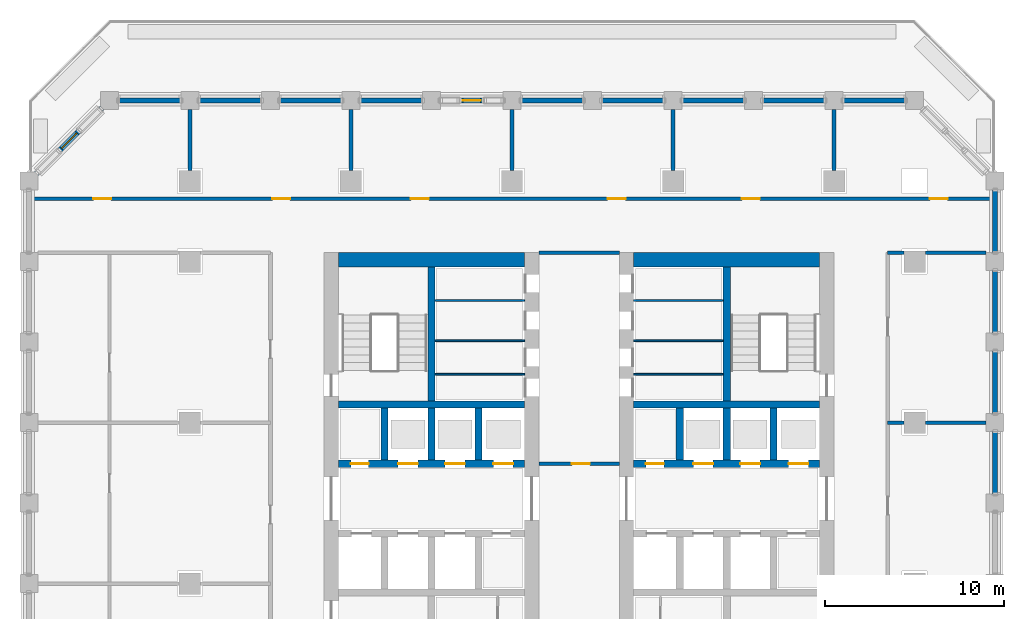
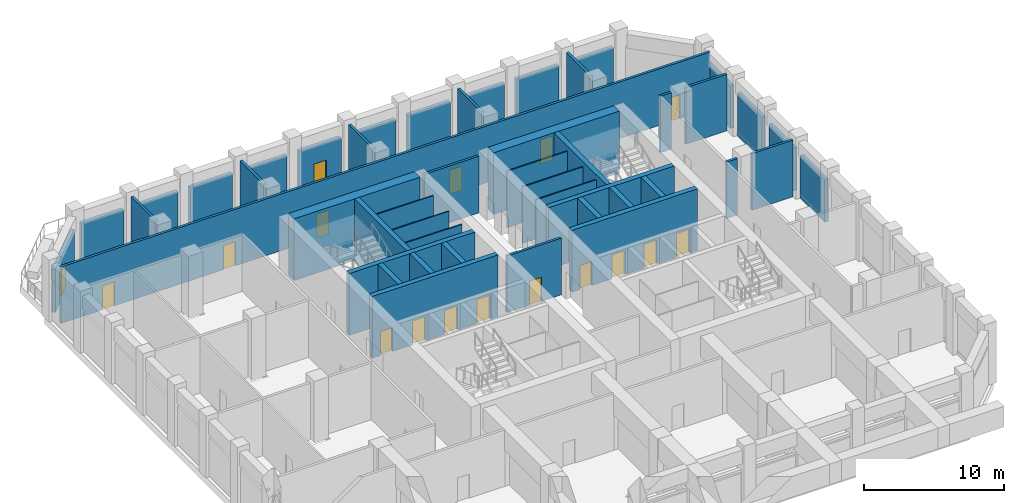
# One storey, part 6 of 20: 47 walls, 17 doors, 17 openings.
"""IFC4 building model written with IfcOpenShell, lengths in metres."""

import ifcopenshell
import ifcopenshell.guid

model = None  # the IFC model being written
_history = None  # IfcOwnerHistory: only IFC2X3 demands one
_inside = {}  # id of a spatial element -> (the spatial element, [elements in it])
_under = {}  # id of a project, library or spatial element -> (it, [spatial elements below it])
_declared = {}  # id of a project -> (the project, [libraries it declares])
_typed = {}  # id of a type object -> (the type object, [elements of that type])
_made_of = {}  # id of a material, layer set ... -> (it, [elements and type objects made of it])


def new_model(schema):
    """Start an empty IFC model of exactly this schema.

    Asked for "IFC4X3", IfcOpenShell would pick the latest addendum, in which some entities
    have other attributes; the version numbers below select the first issue.
    IFC2X3 requires an IfcOwnerHistory on every rooted entity: one is made here for all.
    """
    global model, _history
    if schema == "IFC4X3":
        model = ifcopenshell.file(schema_version=(4, 3, 0, 0))
    else:
        model = ifcopenshell.file(schema=schema)
    _inside.clear()
    _under.clear()
    _declared.clear()
    _typed.clear()
    _made_of.clear()
    _history = None
    if model.schema == "IFC2X3":
        org = make("IfcOrganization", Name="unknown")
        user = make(
            "IfcPersonAndOrganization",
            ThePerson=make("IfcPerson", FamilyName="unknown"),
            TheOrganization=org,
        )
        app = make(
            "IfcApplication",
            ApplicationDeveloper=org,
            Version="unknown",
            ApplicationFullName="unknown",
            ApplicationIdentifier="unknown",
        )
        _history = make(
            "IfcOwnerHistory",
            OwningUser=user,
            OwningApplication=app,
            ChangeAction="ADDED",
            CreationDate=0,
        )
    return model


def make(cls, **values):
    """One entity of the class cls with the attributes given. An attribute that is None is left unset."""
    return model.create_entity(
        cls, **{name: value for name, value in values.items() if value is not None}
    )


def rooted(cls, **values):
    """An entity with a GlobalId (a new one), such as an element, a storey or a relation."""
    return make(cls, GlobalId=ifcopenshell.guid.new(), OwnerHistory=_history, **values)


def si_unit(unit_type, name, prefix=None):
    """IfcSIUnit, for example si_unit("LENGTHUNIT", "METRE", prefix="MILLI")."""
    return make("IfcSIUnit", UnitType=unit_type, Prefix=prefix, Name=name)


def assignment(units):
    """IfcUnitAssignment: the units of a project."""
    return None if units is None else make("IfcUnitAssignment", Units=units)


def point(xyz):
    """IfcCartesianPoint."""
    return None if xyz is None else make("IfcCartesianPoint", Coordinates=xyz)


def direction(xyz):
    """IfcDirection."""
    return None if xyz is None else make("IfcDirection", DirectionRatios=xyz)


def frame(location, z_axis=None, x_axis=None):
    """IfcAxis2Placement3D, a coordinate frame: its origin and axes. An axis left out is left unset."""
    return make(
        "IfcAxis2Placement3D",
        Location=point(location),
        Axis=direction(z_axis),
        RefDirection=direction(x_axis),
    )


def frame_2d(location, x_axis=None):
    """IfcAxis2Placement2D, a coordinate frame in the plane: its origin and x axis."""
    return make(
        "IfcAxis2Placement2D", Location=point(location), RefDirection=direction(x_axis)
    )


def origin():
    """The frame at (0, 0, 0) with its axes left unset."""
    return frame((0.0, 0.0, 0.0))


def place(relative_to, where):
    """IfcLocalPlacement: puts the frame where relative to a parent placement (None: the world)."""
    return make(
        "IfcLocalPlacement", PlacementRelTo=relative_to, RelativePlacement=where
    )


def context(
    kind, dimensions, precision=None, world=None, true_north=None, identifier=None
):
    """IfcGeometricRepresentationContext, for example the 3D "Model" context."""
    return make(
        "IfcGeometricRepresentationContext",
        ContextIdentifier=identifier,
        ContextType=kind,
        CoordinateSpaceDimension=dimensions,
        Precision=precision,
        WorldCoordinateSystem=world,
        TrueNorth=true_north,
    )


def subcontext(parent, identifier, kind, view, scale=None):
    """IfcGeometricRepresentationSubContext, for example "Body" below "Model"."""
    return make(
        "IfcGeometricRepresentationSubContext",
        ContextIdentifier=identifier,
        ContextType=kind,
        ParentContext=parent,
        TargetScale=scale,
        TargetView=view,
    )


def project(units=None, contexts=None):
    """IfcProject with its units and contexts."""
    return rooted(
        "IfcProject",
        Name="project",
        RepresentationContexts=contexts,
        UnitsInContext=assignment(units),
    )


def spatial(cls, under=None, at=None, **own):
    """A site, building, storey or space (cls), placed at a placement, below another one or the project."""
    s = rooted(cls, ObjectPlacement=at, **own)
    if under is not None:
        _under.setdefault(under.id(), (under, []))[1].append(s)
    return s


def profile(cls, at=None, kind="AREA", **sizes):
    """A parametric profile (cls). Its sizes go by their IFC names, for example OverallWidth=200.0."""
    return make(cls, ProfileType=kind, Position=at, **sizes)


def rectangle(**sizes):
    """IfcRectangleProfileDef."""
    return profile("IfcRectangleProfileDef", **sizes)


def extrude(swept, where, along, depth):
    """IfcExtrudedAreaSolid: the profile swept, set in the frame where, extruded along a direction by depth."""
    return make(
        "IfcExtrudedAreaSolid",
        SweptArea=swept,
        Position=where,
        ExtrudedDirection=direction(along),
        Depth=depth,
    )


def shape(context_of_items, identifier, shape_type, items):
    """IfcShapeRepresentation: the items that make up one representation, for example the "Body"."""
    return make(
        "IfcShapeRepresentation",
        ContextOfItems=context_of_items,
        RepresentationIdentifier=identifier,
        RepresentationType=shape_type,
        Items=items,
    )


def material(Name=None, Category=None):
    """IfcMaterial."""
    return make("IfcMaterial", Name=Name, Category=Category)


def layer(
    of_material, thickness, ventilated=None, Name=None, Category=None, Priority=None
):
    """IfcMaterialLayer: one layer of a wall or slab, of a material (None: an air gap)."""
    return make(
        "IfcMaterialLayer",
        Material=of_material,
        LayerThickness=thickness,
        IsVentilated=ventilated,
        Name=Name,
        Category=Category,
        Priority=Priority,
    )


def layer_set(layers, Name=None):
    """IfcMaterialLayerSet."""
    return make("IfcMaterialLayerSet", MaterialLayers=layers, LayerSetName=Name)


def made_of(thing, what):
    """Note that an element or type object is made of a material, layer set ...; save() writes the relation."""
    if what is not None:
        _made_of.setdefault(what.id(), (what, []))[1].append(thing)
    return thing


def type_object(cls, material=None, **own):
    """A type object (cls), such as IfcWallType, which elements share."""
    return made_of(rooted(cls, **own), material)


def element(
    cls,
    number,
    at=None,
    inside=None,
    cuts=None,
    type_object=None,
    material=None,
    context=None,
    identifier="Body",
    shape_type=None,
    held_by="IfcProductDefinitionShape",
    body=None,
    shapes=None,
    **own,
):
    """One element of the class cls, such as IfcWall. Its Tag is "e" and its number.

    at: its placement. inside: the storey or other place that contains it. cuts: it is an
    opening in that element (IfcRelVoidsElement). A single representation is given by context,
    identifier, shape_type and body (its items); several are given by shapes. held_by: the class
    of the entity that holds the representations. save() writes the other relations.
    """
    e = rooted(cls, Tag="e%d" % number, ObjectPlacement=at, **own)
    if body is not None:
        shapes = [shape(context, identifier, shape_type, body)]
    if shapes is not None:
        e.Representation = make(held_by, Representations=shapes)
    if inside is not None:
        _inside.setdefault(inside.id(), (inside, []))[1].append(e)
    if cuts is not None:
        rooted(
            "IfcRelVoidsElement", RelatingBuildingElement=cuts, RelatedOpeningElement=e
        )
    if type_object is not None:
        _typed.setdefault(type_object.id(), (type_object, []))[1].append(e)
    return made_of(e, material)


def fill(opening, filler):
    """IfcRelFillsElement: the door or window that sits in an opening."""
    return rooted(
        "IfcRelFillsElement",
        RelatingOpeningElement=opening,
        RelatedBuildingElement=filler,
    )


def aggregate(whole, parts):
    """IfcRelAggregates: a whole, such as a stair, and the parts it consists of."""
    return rooted("IfcRelAggregates", RelatingObject=whole, RelatedObjects=parts)


def save(model, path):
    """Write the relations noted so far, then the file.

    IfcRelAggregates (storeys below a building ...), IfcRelContainedInSpatialStructure (elements
    in a storey), IfcRelDefinesByType, IfcRelAssociatesMaterial and IfcRelDeclares: one each for
    every whole, place, type object, material and project.
    """
    for whole, parts in _under.values():
        aggregate(whole, parts)
    for where, things in _inside.values():
        rooted(
            "IfcRelContainedInSpatialStructure",
            RelatedElements=things,
            RelatingStructure=where,
        )
    for kind, things in _typed.values():
        rooted("IfcRelDefinesByType", RelatedObjects=things, RelatingType=kind)
    for what, things in _made_of.values():
        rooted("IfcRelAssociatesMaterial", RelatedObjects=things, RelatingMaterial=what)
    for by, libraries in _declared.values():
        rooted("IfcRelDeclares", RelatingContext=by, RelatedDefinitions=libraries)
    model.write(path)


model = new_model("IFC4")

# Units and contexts
model_context = context("Model", 3, precision=1e-05, world=origin(), true_north=direction((0.0, 1.0)))
body_context = subcontext(model_context, "Body", "Model", "MODEL_VIEW")
ifc_project = project(units=[si_unit("LENGTHUNIT", "METRE"), si_unit("AREAUNIT", "SQUARE_METRE"), si_unit("VOLUMEUNIT", "CUBIC_METRE"), si_unit("PLANEANGLEUNIT", "RADIAN"), si_unit("MASSUNIT", "GRAM", prefix="KILO")], contexts=[model_context])

# Site, building, storey
site_placement = place(None, origin())
site = spatial("IfcSite", under=ifc_project, at=site_placement, CompositionType="ELEMENT")
building_placement = place(site_placement, origin())
building = spatial("IfcBuilding", under=site, at=building_placement, Name="Corbel Stack Research Tower", CompositionType="ELEMENT")
storey_placement = place(building_placement, frame((0.0, 0.0, 151.39990234375)))
storey = spatial("IfcBuildingStorey", under=building, at=storey_placement, Name="L34", CompositionType="ELEMENT", Elevation=151.39990234375)

# Wall, openings, doors
ifc_material_1 = material(Name="Concrete C60/75", Category="concrete")
ifc_layer_1 = layer(ifc_material_1, 0.39990234375)
ifc_layer_set_1 = layer_set([ifc_layer_1], Name="Concrete C60/75")
wall_type_1 = type_object("IfcWallType", Name="CW-400-60", PredefinedType="SHEAR", material=ifc_layer_set_1)
wall_1_placement = place(storey_placement, frame((-9.699951171875, 6.699951171875, 0.0), z_axis=(0.0, 0.0, 1.0), x_axis=(1.0, 0.0, 0.0)))
wall_1 = element("IfcWall", 1, at=wall_1_placement, inside=storey, type_object=wall_type_1, Name="West core wall, lobby north L34", PredefinedType="SHEAR", context=body_context, shape_type="SweptSolid", body=[
    extrude(rectangle(XDim=10.39990234375, YDim=0.39990234375, at=frame_2d((5.199951171875, 0.0))), origin(), (0.0, 0.0, 1.0), 5.400146484375),
])
opening_1_placement = place(wall_1_placement, frame((3.33740234375, 0.0, 0.0)))
opening_1 = element("IfcOpeningElement", 2, at=opening_1_placement, cuts=wall_1, Name="Opening LD-HR1", PredefinedType="OPENING", context=body_context, shape_type="SweptSolid", body=[
    extrude(rectangle(XDim=1.10009765625, YDim=2.10009765625, at=frame_2d((0.550048828125, 1.050048828125))), frame((0.0, 0.2099609375, 0.0), z_axis=(0.0, -1.0, 0.0), x_axis=(1.0, 0.0, 0.0)), (0.0, 0.0, 1.0), 0.419921875),
])
opening_2_placement = place(wall_1_placement, frame((5.96240234375, 0.0, 0.0)))
opening_2 = element("IfcOpeningElement", 3, at=opening_2_placement, cuts=wall_1, Name="Opening LD-HR2", PredefinedType="OPENING", context=body_context, shape_type="SweptSolid", body=[
    extrude(rectangle(XDim=1.10009765625, YDim=2.10009765625, at=frame_2d((0.550048828125, 1.050048828125))), frame((0.0, 0.2099609375, 0.0), z_axis=(0.0, -1.0, 0.0), x_axis=(1.0, 0.0, 0.0)), (0.0, 0.0, 1.0), 0.419921875),
])
opening_3_placement = place(wall_1_placement, frame((8.66259765625, 0.0, 0.0)))
opening_3 = element("IfcOpeningElement", 4, at=opening_3_placement, cuts=wall_1, Name="Opening LD-HR3", PredefinedType="OPENING", context=body_context, shape_type="SweptSolid", body=[
    extrude(rectangle(XDim=1.10009765625, YDim=2.10009765625, at=frame_2d((0.550048828125, 1.050048828125))), frame((0.0, 0.2099609375, 0.0), z_axis=(0.0, -1.0, 0.0), x_axis=(1.0, 0.0, 0.0)), (0.0, 0.0, 1.0), 0.419921875),
])
opening_4_placement = place(wall_1_placement, frame((0.6875, 0.0, 0.0)))
opening_4 = element("IfcOpeningElement", 5, at=opening_4_placement, cuts=wall_1, Name="Opening CR-W66-N1", PredefinedType="OPENING", context=body_context, shape_type="SweptSolid", body=[
    extrude(rectangle(XDim=1.0, YDim=2.10009765625, at=frame_2d((0.5, 1.050048828125))), frame((0.0, 0.2099609375, 0.0), z_axis=(0.0, -1.0, 0.0), x_axis=(1.0, 0.0, 0.0)), (0.0, 0.0, 1.0), 0.419921875),
])
ifc_material_2 = material(Name="Stainless steel landing door", Category="steel")
door_type_1 = type_object("IfcDoorType", Name="Lift landing door 1100 x 2100", OperationType="DOUBLE_DOOR_SLIDING", PredefinedType="DOOR", material=ifc_material_2)
door_1_placement = place(opening_1_placement, origin())
door_1 = element("IfcDoor", 6, at=door_1_placement, inside=storey, type_object=door_type_1, Name="Landing door HR1", OperationType="DOUBLE_DOOR_SLIDING", OverallHeight=2.10009765625, OverallWidth=1.10009765625, PredefinedType="DOOR", context=body_context, shape_type="SweptSolid", body=[
    extrude(rectangle(XDim=1.10009765625, YDim=2.10009765625, at=frame_2d((0.550048828125, 1.050048828125))), frame((0.0, 0.02490234375, 0.0), z_axis=(0.0, -1.0, 0.0), x_axis=(1.0, 0.0, 0.0)), (0.0, 0.0, 1.0), 0.050048828125),
])
fill(opening_1, door_1)
door_2_placement = place(opening_2_placement, origin())
door_2 = element("IfcDoor", 7, at=door_2_placement, inside=storey, type_object=door_type_1, Name="Landing door HR2", OperationType="DOUBLE_DOOR_SLIDING", OverallHeight=2.10009765625, OverallWidth=1.10009765625, PredefinedType="DOOR", context=body_context, shape_type="SweptSolid", body=[
    extrude(rectangle(XDim=1.10009765625, YDim=2.10009765625, at=frame_2d((0.550048828125, 1.050048828125))), frame((0.0, 0.02490234375, 0.0), z_axis=(0.0, -1.0, 0.0), x_axis=(1.0, 0.0, 0.0)), (0.0, 0.0, 1.0), 0.050048828125),
])
fill(opening_2, door_2)
door_3_placement = place(opening_3_placement, origin())
door_3 = element("IfcDoor", 8, at=door_3_placement, inside=storey, type_object=door_type_1, Name="Landing door HR3", OperationType="DOUBLE_DOOR_SLIDING", OverallHeight=2.10009765625, OverallWidth=1.10009765625, PredefinedType="DOOR", context=body_context, shape_type="SweptSolid", body=[
    extrude(rectangle(XDim=1.10009765625, YDim=2.10009765625, at=frame_2d((0.550048828125, 1.050048828125))), frame((0.0, 0.02490234375, 0.0), z_axis=(0.0, -1.0, 0.0), x_axis=(1.0, 0.0, 0.0)), (0.0, 0.0, 1.0), 0.050048828125),
])
fill(opening_3, door_3)
ifc_material_3 = material(Name="Painted steel door", Category="steel")
door_type_2 = type_object("IfcDoorType", Name="Service door 1000 x 2100 FD60 left hand", OperationType="SINGLE_SWING_LEFT", PredefinedType="DOOR", material=ifc_material_3)
door_4_placement = place(opening_4_placement, origin())
door_4 = element("IfcDoor", 9, at=door_4_placement, inside=storey, type_object=door_type_2, Name="Laboratory consumables store door W core", OperationType="SINGLE_SWING_LEFT", OverallHeight=2.10009765625, OverallWidth=1.0, PredefinedType="DOOR", context=body_context, shape_type="SweptSolid", body=[
    extrude(rectangle(XDim=1.0, YDim=2.10009765625, at=frame_2d((0.5, 1.050048828125))), frame((0.0, 0.02490234375, 0.0), z_axis=(0.0, -1.0, 0.0), x_axis=(1.0, 0.0, 0.0)), (0.0, 0.0, 1.0), 0.050048828125),
])
fill(opening_4, door_4)

# Walls
wall_2_placement = place(storey_placement, frame((-9.699951171875, 10.0, 0.0), z_axis=(0.0, 0.0, 1.0), x_axis=(1.0, 0.0, 0.0)))
element("IfcWall", 10, at=wall_2_placement, inside=storey, type_object=wall_type_1, Name="West core wall, north row back L34", PredefinedType="SHEAR", context=body_context, shape_type="SweptSolid", body=[
    extrude(rectangle(XDim=10.39990234375, YDim=0.39990234375, at=frame_2d((5.199951171875, 0.0))), origin(), (0.0, 0.0, 1.0), 5.400146484375),
])
for number, where, z_axis, x_axis, name in (
    (11, (-7.125, 6.89990234375, 0.0), (0.0, 0.0, 1.0), (0.0, 1.0, 0.0), "West core wall, north shaft 1 L34"),
    (12, (-4.5, 6.89990234375, 0.0), (0.0, 0.0, 1.0), (0.0, 1.0, 0.0), "West core wall, north shaft 2 L34"),
    (13, (-1.875, 6.89990234375, 0.0), (0.0, 0.0, 1.0), (0.0, 1.0, 0.0), "West core wall, north shaft 3 L34"),
):
    element("IfcWall", number, at=place(storey_placement, frame(where, z_axis=z_axis, x_axis=x_axis)), inside=storey, type_object=wall_type_1, Name=name, PredefinedType="SHEAR", context=body_context, shape_type="SweptSolid", body=[
        extrude(rectangle(XDim=2.900146484375, YDim=0.39990234375, at=frame_2d((1.4501953125, 0.0))), origin(), (0.0, 0.0, 1.0), 5.400146484375),
    ])
wall_3_placement = place(storey_placement, frame((-4.5, 10.199951171875, 0.0), z_axis=(0.0, 0.0, 1.0), x_axis=(0.0, 1.0, 0.0)))
element("IfcWall", 14, at=wall_3_placement, inside=storey, type_object=wall_type_1, Name="West core wall, north stair and riser L34", PredefinedType="SHEAR", context=body_context, shape_type="SweptSolid", body=[
    extrude(rectangle(XDim=7.5, YDim=0.39990234375, at=frame_2d((3.75, 0.0))), origin(), (0.0, 0.0, 1.0), 5.400146484375),
])

# Wall, openings, doors
wall_4_placement = place(storey_placement, frame((6.800048828125, 6.699951171875, 0.0), z_axis=(0.0, 0.0, 1.0), x_axis=(1.0, 0.0, 0.0)))
wall_4 = element("IfcWall", 15, at=wall_4_placement, inside=storey, type_object=wall_type_1, Name="East core wall, lobby north L34", PredefinedType="SHEAR", context=body_context, shape_type="SweptSolid", body=[
    extrude(rectangle(XDim=10.39990234375, YDim=0.39990234375, at=frame_2d((5.199951171875, 0.0))), origin(), (0.0, 0.0, 1.0), 5.400146484375),
])
opening_5_placement = place(wall_4_placement, frame((3.33740234375, 0.0, 0.0)))
opening_5 = element("IfcOpeningElement", 16, at=opening_5_placement, cuts=wall_4, Name="Opening LD-HR4", PredefinedType="OPENING", context=body_context, shape_type="SweptSolid", body=[
    extrude(rectangle(XDim=1.10009765625, YDim=2.10009765625, at=frame_2d((0.550048828125, 1.050048828125))), frame((0.0, 0.2099609375, 0.0), z_axis=(0.0, -1.0, 0.0), x_axis=(1.0, 0.0, 0.0)), (0.0, 0.0, 1.0), 0.419921875),
])
opening_6_placement = place(wall_4_placement, frame((5.96240234375, 0.0, 0.0)))
opening_6 = element("IfcOpeningElement", 17, at=opening_6_placement, cuts=wall_4, Name="Opening LD-HR5", PredefinedType="OPENING", context=body_context, shape_type="SweptSolid", body=[
    extrude(rectangle(XDim=1.10009765625, YDim=2.10009765625, at=frame_2d((0.550048828125, 1.050048828125))), frame((0.0, 0.2099609375, 0.0), z_axis=(0.0, -1.0, 0.0), x_axis=(1.0, 0.0, 0.0)), (0.0, 0.0, 1.0), 0.419921875),
])
opening_7_placement = place(wall_4_placement, frame((8.66259765625, 0.0, 0.0)))
opening_7 = element("IfcOpeningElement", 18, at=opening_7_placement, cuts=wall_4, Name="Opening LD-HR6", PredefinedType="OPENING", context=body_context, shape_type="SweptSolid", body=[
    extrude(rectangle(XDim=1.10009765625, YDim=2.10009765625, at=frame_2d((0.550048828125, 1.050048828125))), frame((0.0, 0.2099609375, 0.0), z_axis=(0.0, -1.0, 0.0), x_axis=(1.0, 0.0, 0.0)), (0.0, 0.0, 1.0), 0.419921875),
])
opening_8_placement = place(wall_4_placement, frame((0.6875, 0.0, 0.0)))
opening_8 = element("IfcOpeningElement", 19, at=opening_8_placement, cuts=wall_4, Name="Opening CR-E66-N1", PredefinedType="OPENING", context=body_context, shape_type="SweptSolid", body=[
    extrude(rectangle(XDim=1.0, YDim=2.10009765625, at=frame_2d((0.5, 1.050048828125))), frame((0.0, 0.2099609375, 0.0), z_axis=(0.0, -1.0, 0.0), x_axis=(1.0, 0.0, 0.0)), (0.0, 0.0, 1.0), 0.419921875),
])
door_5_placement = place(opening_5_placement, origin())
door_5 = element("IfcDoor", 20, at=door_5_placement, inside=storey, type_object=door_type_1, Name="Landing door HR4", OperationType="DOUBLE_DOOR_SLIDING", OverallHeight=2.10009765625, OverallWidth=1.10009765625, PredefinedType="DOOR", context=body_context, shape_type="SweptSolid", body=[
    extrude(rectangle(XDim=1.10009765625, YDim=2.10009765625, at=frame_2d((0.550048828125, 1.050048828125))), frame((0.0, 0.02490234375, 0.0), z_axis=(0.0, -1.0, 0.0), x_axis=(1.0, 0.0, 0.0)), (0.0, 0.0, 1.0), 0.050048828125),
])
fill(opening_5, door_5)
door_6_placement = place(opening_6_placement, origin())
door_6 = element("IfcDoor", 21, at=door_6_placement, inside=storey, type_object=door_type_1, Name="Landing door HR5", OperationType="DOUBLE_DOOR_SLIDING", OverallHeight=2.10009765625, OverallWidth=1.10009765625, PredefinedType="DOOR", context=body_context, shape_type="SweptSolid", body=[
    extrude(rectangle(XDim=1.10009765625, YDim=2.10009765625, at=frame_2d((0.550048828125, 1.050048828125))), frame((0.0, 0.02490234375, 0.0), z_axis=(0.0, -1.0, 0.0), x_axis=(1.0, 0.0, 0.0)), (0.0, 0.0, 1.0), 0.050048828125),
])
fill(opening_6, door_6)
door_7_placement = place(opening_7_placement, origin())
door_7 = element("IfcDoor", 22, at=door_7_placement, inside=storey, type_object=door_type_1, Name="Landing door HR6", OperationType="DOUBLE_DOOR_SLIDING", OverallHeight=2.10009765625, OverallWidth=1.10009765625, PredefinedType="DOOR", context=body_context, shape_type="SweptSolid", body=[
    extrude(rectangle(XDim=1.10009765625, YDim=2.10009765625, at=frame_2d((0.550048828125, 1.050048828125))), frame((0.0, 0.02490234375, 0.0), z_axis=(0.0, -1.0, 0.0), x_axis=(1.0, 0.0, 0.0)), (0.0, 0.0, 1.0), 0.050048828125),
])
fill(opening_7, door_7)
door_8_placement = place(opening_8_placement, origin())
door_8 = element("IfcDoor", 23, at=door_8_placement, inside=storey, type_object=door_type_2, Name="Electrical switch room door E core", OperationType="SINGLE_SWING_LEFT", OverallHeight=2.10009765625, OverallWidth=1.0, PredefinedType="DOOR", context=body_context, shape_type="SweptSolid", body=[
    extrude(rectangle(XDim=1.0, YDim=2.10009765625, at=frame_2d((0.5, 1.050048828125))), frame((0.0, 0.02490234375, 0.0), z_axis=(0.0, -1.0, 0.0), x_axis=(1.0, 0.0, 0.0)), (0.0, 0.0, 1.0), 0.050048828125),
])
fill(opening_8, door_8)

# Walls
wall_5_placement = place(storey_placement, frame((6.800048828125, 10.0, 0.0), z_axis=(0.0, 0.0, 1.0), x_axis=(1.0, 0.0, 0.0)))
element("IfcWall", 24, at=wall_5_placement, inside=storey, type_object=wall_type_1, Name="East core wall, north row back L34", PredefinedType="SHEAR", context=body_context, shape_type="SweptSolid", body=[
    extrude(rectangle(XDim=10.39990234375, YDim=0.39990234375, at=frame_2d((5.199951171875, 0.0))), origin(), (0.0, 0.0, 1.0), 5.400146484375),
])
for number, where, z_axis, x_axis, name in (
    (25, (9.375, 6.89990234375, 0.0), (0.0, 0.0, 1.0), (0.0, 1.0, 0.0), "East core wall, north shaft 1 L34"),
    (26, (12.0, 6.89990234375, 0.0), (0.0, 0.0, 1.0), (0.0, 1.0, 0.0), "East core wall, north shaft 2 L34"),
    (27, (14.625, 6.89990234375, 0.0), (0.0, 0.0, 1.0), (0.0, 1.0, 0.0), "East core wall, north shaft 3 L34"),
):
    element("IfcWall", number, at=place(storey_placement, frame(where, z_axis=z_axis, x_axis=x_axis)), inside=storey, type_object=wall_type_1, Name=name, PredefinedType="SHEAR", context=body_context, shape_type="SweptSolid", body=[
        extrude(rectangle(XDim=2.900146484375, YDim=0.39990234375, at=frame_2d((1.4501953125, 0.0))), origin(), (0.0, 0.0, 1.0), 5.400146484375),
    ])
wall_6_placement = place(storey_placement, frame((12.0, 10.199951171875, 0.0), z_axis=(0.0, 0.0, 1.0), x_axis=(0.0, 1.0, 0.0)))
element("IfcWall", 28, at=wall_6_placement, inside=storey, type_object=wall_type_1, Name="East core wall, north stair and riser L34", PredefinedType="SHEAR", context=body_context, shape_type="SweptSolid", body=[
    extrude(rectangle(XDim=7.5, YDim=0.39990234375, at=frame_2d((3.75, 0.0))), origin(), (0.0, 0.0, 1.0), 5.400146484375),
])
ifc_material_4 = material(Name="Concrete C60/75", Category="concrete")
ifc_layer_2 = layer(ifc_material_4, 0.800048828125)
ifc_layer_set_2 = layer_set([ifc_layer_2], Name="Concrete C60/75")
wall_type_2 = type_object("IfcWallType", Name="CW-800-60", PredefinedType="SHEAR", material=ifc_layer_set_2)
for number, where, z_axis, x_axis, name in (
    (29, (-9.699951171875, 18.10009765625, 0.0), (0.0, 0.0, 1.0), (1.0, 0.0, 0.0), "West core wall, north end L34"),
    (30, (6.800048828125, 18.10009765625, 0.0), (0.0, 0.0, 1.0), (1.0, 0.0, 0.0), "East core wall, north end L34"),
):
    element("IfcWall", number, at=place(storey_placement, frame(where, z_axis=z_axis, x_axis=x_axis)), inside=storey, type_object=wall_type_2, Name=name, PredefinedType="SHEAR", context=body_context, shape_type="SweptSolid", body=[
        extrude(rectangle(XDim=10.39990234375, YDim=0.800048828125, at=frame_2d((5.199951171875, 0.0))), origin(), (0.0, 0.0, 1.0), 5.400146484375),
    ])
ifc_material_5 = material(Name="Gypsum board")
ifc_layer_3 = layer(ifc_material_5, 0.10009765625)
ifc_layer_set_3 = layer_set([ifc_layer_3], Name="Gypsum board")
wall_type_3 = type_object("IfcWallType", Name="Core partition 100", PredefinedType="PARTITIONING", material=ifc_layer_set_3)
for number, where, z_axis, x_axis, name in (
    (31, (-4.300048828125, 11.699951171875, 0.0), (0.0, 0.0, 1.0), (1.0, 0.0, 0.0), "Core partition W"),
    (32, (-4.300048828125, 13.574951171875, 0.0), (0.0, 0.0, 1.0), (1.0, 0.0, 0.0), "Core partition W"),
    (33, (-4.300048828125, 15.824951171875, 0.0), (0.0, 0.0, 1.0), (1.0, 0.0, 0.0), "Core partition W"),
    (34, (6.800048828125, 11.699951171875, 0.0), (0.0, 0.0, 1.0), (1.0, 0.0, 0.0), "Core partition E"),
    (35, (6.800048828125, 13.574951171875, 0.0), (0.0, 0.0, 1.0), (1.0, 0.0, 0.0), "Core partition E"),
    (36, (6.800048828125, 15.824951171875, 0.0), (0.0, 0.0, 1.0), (1.0, 0.0, 0.0), "Core partition E"),
):
    element("IfcWall", number, at=place(storey_placement, frame(where, z_axis=z_axis, x_axis=x_axis)), inside=storey, type_object=wall_type_3, Name=name, PredefinedType="PARTITIONING", context=body_context, shape_type="SweptSolid", body=[
        extrude(rectangle(XDim=5.0, YDim=0.10009765625, at=frame_2d((2.5, 0.0))), origin(), (0.0, 0.0, 1.0), 4.9501953125),
    ])
ifc_material_6 = material(Name="Fire-rated gypsum board partition on steel studs", Category="steel")
ifc_layer_4 = layer(ifc_material_6, 0.199951171875)
ifc_layer_set_4 = layer_set([ifc_layer_4], Name="Fire-rated gypsum board partition on steel studs")
wall_type_4 = type_object("IfcWallType", Name="Fire-rated partition 200 EI 60", PredefinedType="PARTITIONING", material=ifc_layer_set_4)
for number, where, z_axis, x_axis, name in (
    (37, (-18.0, 23.10009765625, 0.0), (0.0, 0.0, 1.0), (0.0, 1.0, 0.0), "Partition L34-004"),
    (38, (-9.0, 23.10009765625, 0.0), (0.0, 0.0, 1.0), (0.0, 1.0, 0.0), "Partition L34-008"),
    (39, (0.0, 23.10009765625, 0.0), (0.0, 0.0, 1.0), (0.0, 1.0, 0.0), "Partition L34-011"),
    (40, (9.0, 23.10009765625, 0.0), (0.0, 0.0, 1.0), (0.0, 1.0, 0.0), "Partition L34-014"),
    (41, (18.0, 23.10009765625, 0.0), (0.0, 0.0, 1.0), (0.0, 1.0, 0.0), "Partition L34-017"),
):
    element("IfcWall", number, at=place(storey_placement, frame(where, z_axis=z_axis, x_axis=x_axis)), inside=storey, type_object=wall_type_4, Name=name, PredefinedType="PARTITIONING", context=body_context, shape_type="SweptSolid", body=[
        extrude(rectangle(XDim=3.39990234375, YDim=0.199951171875, at=frame_2d((1.699951171875, 0.0))), origin(), (0.0, 0.0, 1.0), 4.9501953125),
    ])

# Wall, opening, door
wall_7_placement = place(storey_placement, frame((1.5, 6.699951171875, 0.0), z_axis=(0.0, 0.0, 1.0), x_axis=(1.0, 0.0, 0.0)))
wall_7 = element("IfcWall", 42, at=wall_7_placement, inside=storey, type_object=wall_type_4, Name="Partition L34-040", PredefinedType="PARTITIONING", context=body_context, shape_type="SweptSolid", body=[
    extrude(rectangle(XDim=4.5, YDim=0.199951171875, at=frame_2d((2.25, 0.0))), origin(), (0.0, 0.0, 1.0), 4.9501953125),
])
opening_9_placement = place(wall_7_placement, frame((1.85009765625, 0.0, 0.0)))
opening_9 = element("IfcOpeningElement", 43, at=opening_9_placement, cuts=wall_7, Name="Opening PLANTL34-014", PredefinedType="OPENING", context=body_context, shape_type="SweptSolid", body=[
    extrude(rectangle(XDim=1.0, YDim=2.10009765625, at=frame_2d((0.5, 1.050048828125))), frame((0.0, 0.10986328125, 0.0), z_axis=(0.0, -1.0, 0.0), x_axis=(1.0, 0.0, 0.0)), (0.0, 0.0, 1.0), 0.219970703125),
])
ifc_material_7 = material(Name="Painted steel fire door", Category="steel")
door_type_3 = type_object("IfcDoorType", Name="Fire door FD30S 1000 x 2100", OperationType="NOTDEFINED", PredefinedType="DOOR", material=ifc_material_7)
door_9_placement = place(opening_9_placement, origin())
door_9 = element("IfcDoor", 44, at=door_9_placement, inside=storey, type_object=door_type_3, Name="Door PLANTL34-014", OperationType="SINGLE_SWING_RIGHT", OverallHeight=2.10009765625, OverallWidth=1.0, PredefinedType="DOOR", context=body_context, shape_type="SweptSolid", body=[
    extrude(rectangle(XDim=1.0, YDim=2.10009765625, at=frame_2d((0.5, 1.050048828125))), frame((0.0, 0.02490234375, 0.0), z_axis=(0.0, -1.0, 0.0), x_axis=(1.0, 0.0, 0.0)), (0.0, 0.0, 1.0), 0.050048828125),
])
fill(opening_9, door_9)

# Walls
wall_8_placement = place(storey_placement, frame((21.0, 9.0, 0.0), z_axis=(0.0, 0.0, 1.0), x_axis=(1.0, 0.0, 0.0)))
element("IfcWall", 45, at=wall_8_placement, inside=storey, type_object=wall_type_4, Name="Partition L34-043", PredefinedType="PARTITIONING", context=body_context, shape_type="SweptSolid", body=[
    extrude(rectangle(XDim=0.89990234375, YDim=0.199951171875, at=frame_2d((0.449951171875, 0.0))), origin(), (0.0, 0.0, 1.0), 4.9501953125),
])
wall_9_placement = place(storey_placement, frame((23.10009765625, 9.0, 0.0), z_axis=(0.0, 0.0, 1.0), x_axis=(1.0, 0.0, 0.0)))
element("IfcWall", 46, at=wall_9_placement, inside=storey, type_object=wall_type_4, Name="Partition L34-044", PredefinedType="PARTITIONING", context=body_context, shape_type="SweptSolid", body=[
    extrude(rectangle(XDim=3.39990234375, YDim=0.199951171875, at=frame_2d((1.699951171875, 0.0))), origin(), (0.0, 0.0, 1.0), 4.9501953125),
])
wall_10_placement = place(storey_placement, frame((1.5, 18.5, 0.0), z_axis=(0.0, 0.0, 1.0), x_axis=(1.0, 0.0, 0.0)))
element("IfcWall", 47, at=wall_10_placement, inside=storey, type_object=wall_type_4, Name="Partition L34-047", PredefinedType="PARTITIONING", context=body_context, shape_type="SweptSolid", body=[
    extrude(rectangle(XDim=4.5, YDim=0.199951171875, at=frame_2d((2.25, 0.0))), origin(), (0.0, 0.0, 1.0), 4.9501953125),
])
wall_11_placement = place(storey_placement, frame((21.0, 18.5, 0.0), z_axis=(0.0, 0.0, 1.0), x_axis=(1.0, 0.0, 0.0)))
element("IfcWall", 48, at=wall_11_placement, inside=storey, type_object=wall_type_4, Name="Partition L34-048", PredefinedType="PARTITIONING", context=body_context, shape_type="SweptSolid", body=[
    extrude(rectangle(XDim=0.89990234375, YDim=0.199951171875, at=frame_2d((0.449951171875, 0.0))), origin(), (0.0, 0.0, 1.0), 4.9501953125),
])
wall_12_placement = place(storey_placement, frame((23.10009765625, 18.5, 0.0), z_axis=(0.0, 0.0, 1.0), x_axis=(1.0, 0.0, 0.0)))
element("IfcWall", 49, at=wall_12_placement, inside=storey, type_object=wall_type_4, Name="Partition L34-049", PredefinedType="PARTITIONING", context=body_context, shape_type="SweptSolid", body=[
    extrude(rectangle(XDim=3.39990234375, YDim=0.199951171875, at=frame_2d((1.699951171875, 0.0))), origin(), (0.0, 0.0, 1.0), 4.9501953125),
])

# Wall, openings, doors
wall_13_placement = place(storey_placement, frame((-26.85009765625, 21.5, 0.0), z_axis=(0.0, 0.0, 1.0), x_axis=(1.0, 0.0, 0.0)))
wall_13 = element("IfcWall", 50, at=wall_13_placement, inside=storey, type_object=wall_type_4, Name="Partition L34-050", PredefinedType="PARTITIONING", context=body_context, shape_type="SweptSolid", body=[
    extrude(rectangle(XDim=53.7001953125, YDim=0.199951171875, at=frame_2d((26.85009765625, 0.0))), origin(), (0.0, 0.0, 1.0), 4.9501953125),
])
opening_10_placement = place(wall_13_placement, frame((3.449951171875, 0.0, 0.0)))
opening_10 = element("IfcOpeningElement", 51, at=opening_10_placement, cuts=wall_13, Name="Opening PLANTL34-018", PredefinedType="OPENING", context=body_context, shape_type="SweptSolid", body=[
    extrude(rectangle(XDim=1.0, YDim=2.10009765625, at=frame_2d((0.5, 1.050048828125))), frame((0.0, 0.10986328125, 0.0), z_axis=(0.0, -1.0, 0.0), x_axis=(1.0, 0.0, 0.0)), (0.0, 0.0, 1.0), 0.219970703125),
])
opening_11_placement = place(wall_13_placement, frame((13.449951171875, 0.0, 0.0)))
opening_11 = element("IfcOpeningElement", 52, at=opening_11_placement, cuts=wall_13, Name="Opening PLANTL34-019", PredefinedType="OPENING", context=body_context, shape_type="SweptSolid", body=[
    extrude(rectangle(XDim=1.0, YDim=2.10009765625, at=frame_2d((0.5, 1.050048828125))), frame((0.0, 0.10986328125, 0.0), z_axis=(0.0, -1.0, 0.0), x_axis=(1.0, 0.0, 0.0)), (0.0, 0.0, 1.0), 0.219970703125),
])
opening_12_placement = place(wall_13_placement, frame((21.199951171875, 0.0, 0.0)))
opening_12 = element("IfcOpeningElement", 53, at=opening_12_placement, cuts=wall_13, Name="Opening PLANTL34-020", PredefinedType="OPENING", context=body_context, shape_type="SweptSolid", body=[
    extrude(rectangle(XDim=1.0, YDim=2.10009765625, at=frame_2d((0.5, 1.050048828125))), frame((0.0, 0.10986328125, 0.0), z_axis=(0.0, -1.0, 0.0), x_axis=(1.0, 0.0, 0.0)), (0.0, 0.0, 1.0), 0.219970703125),
])
opening_13_placement = place(wall_13_placement, frame((32.199951171875, 0.0, 0.0)))
opening_13 = element("IfcOpeningElement", 54, at=opening_13_placement, cuts=wall_13, Name="Opening PLANTL34-021", PredefinedType="OPENING", context=body_context, shape_type="SweptSolid", body=[
    extrude(rectangle(XDim=1.0, YDim=2.10009765625, at=frame_2d((0.5, 1.050048828125))), frame((0.0, 0.10986328125, 0.0), z_axis=(0.0, -1.0, 0.0), x_axis=(1.0, 0.0, 0.0)), (0.0, 0.0, 1.0), 0.219970703125),
])
opening_14_placement = place(wall_13_placement, frame((39.699951171875, 0.0, 0.0)))
opening_14 = element("IfcOpeningElement", 55, at=opening_14_placement, cuts=wall_13, Name="Opening PLANTL34-022", PredefinedType="OPENING", context=body_context, shape_type="SweptSolid", body=[
    extrude(rectangle(XDim=1.0, YDim=2.10009765625, at=frame_2d((0.5, 1.050048828125))), frame((0.0, 0.10986328125, 0.0), z_axis=(0.0, -1.0, 0.0), x_axis=(1.0, 0.0, 0.0)), (0.0, 0.0, 1.0), 0.219970703125),
])
opening_15_placement = place(wall_13_placement, frame((50.199951171875, 0.0, 0.0)))
opening_15 = element("IfcOpeningElement", 56, at=opening_15_placement, cuts=wall_13, Name="Opening PLANTL34-023", PredefinedType="OPENING", context=body_context, shape_type="SweptSolid", body=[
    extrude(rectangle(XDim=1.0, YDim=2.10009765625, at=frame_2d((0.5, 1.050048828125))), frame((0.0, 0.10986328125, 0.0), z_axis=(0.0, -1.0, 0.0), x_axis=(1.0, 0.0, 0.0)), (0.0, 0.0, 1.0), 0.219970703125),
])
door_10_placement = place(opening_10_placement, origin())
door_10 = element("IfcDoor", 57, at=door_10_placement, inside=storey, type_object=door_type_3, Name="Door PLANTL34-018", OperationType="SINGLE_SWING_LEFT", OverallHeight=2.10009765625, OverallWidth=1.0, PredefinedType="DOOR", context=body_context, shape_type="SweptSolid", body=[
    extrude(rectangle(XDim=1.0, YDim=2.10009765625, at=frame_2d((0.5, 1.050048828125))), frame((0.0, 0.02490234375, 0.0), z_axis=(0.0, -1.0, 0.0), x_axis=(1.0, 0.0, 0.0)), (0.0, 0.0, 1.0), 0.050048828125),
])
fill(opening_10, door_10)
door_11_placement = place(opening_11_placement, origin())
door_11 = element("IfcDoor", 58, at=door_11_placement, inside=storey, type_object=door_type_3, Name="Door PLANTL34-019", OperationType="SINGLE_SWING_LEFT", OverallHeight=2.10009765625, OverallWidth=1.0, PredefinedType="DOOR", context=body_context, shape_type="SweptSolid", body=[
    extrude(rectangle(XDim=1.0, YDim=2.10009765625, at=frame_2d((0.5, 1.050048828125))), frame((0.0, 0.02490234375, 0.0), z_axis=(0.0, -1.0, 0.0), x_axis=(1.0, 0.0, 0.0)), (0.0, 0.0, 1.0), 0.050048828125),
])
fill(opening_11, door_11)
door_12_placement = place(opening_12_placement, origin())
door_12 = element("IfcDoor", 59, at=door_12_placement, inside=storey, type_object=door_type_3, Name="Door PLANTL34-020", OperationType="SINGLE_SWING_LEFT", OverallHeight=2.10009765625, OverallWidth=1.0, PredefinedType="DOOR", context=body_context, shape_type="SweptSolid", body=[
    extrude(rectangle(XDim=1.0, YDim=2.10009765625, at=frame_2d((0.5, 1.050048828125))), frame((0.0, 0.02490234375, 0.0), z_axis=(0.0, -1.0, 0.0), x_axis=(1.0, 0.0, 0.0)), (0.0, 0.0, 1.0), 0.050048828125),
])
fill(opening_12, door_12)
door_13_placement = place(opening_13_placement, origin())
door_13 = element("IfcDoor", 60, at=door_13_placement, inside=storey, type_object=door_type_3, Name="Door PLANTL34-021", OperationType="SINGLE_SWING_RIGHT", OverallHeight=2.10009765625, OverallWidth=1.0, PredefinedType="DOOR", context=body_context, shape_type="SweptSolid", body=[
    extrude(rectangle(XDim=1.0, YDim=2.10009765625, at=frame_2d((0.5, 1.050048828125))), frame((0.0, 0.02490234375, 0.0), z_axis=(0.0, -1.0, 0.0), x_axis=(1.0, 0.0, 0.0)), (0.0, 0.0, 1.0), 0.050048828125),
])
fill(opening_13, door_13)
door_14_placement = place(opening_14_placement, origin())
door_14 = element("IfcDoor", 61, at=door_14_placement, inside=storey, type_object=door_type_3, Name="Door PLANTL34-022", OperationType="SINGLE_SWING_RIGHT", OverallHeight=2.10009765625, OverallWidth=1.0, PredefinedType="DOOR", context=body_context, shape_type="SweptSolid", body=[
    extrude(rectangle(XDim=1.0, YDim=2.10009765625, at=frame_2d((0.5, 1.050048828125))), frame((0.0, 0.02490234375, 0.0), z_axis=(0.0, -1.0, 0.0), x_axis=(1.0, 0.0, 0.0)), (0.0, 0.0, 1.0), 0.050048828125),
])
fill(opening_14, door_14)
door_15_placement = place(opening_15_placement, origin())
door_15 = element("IfcDoor", 62, at=door_15_placement, inside=storey, type_object=door_type_3, Name="Door PLANTL34-023", OperationType="SINGLE_SWING_RIGHT", OverallHeight=2.10009765625, OverallWidth=1.0, PredefinedType="DOOR", context=body_context, shape_type="SweptSolid", body=[
    extrude(rectangle(XDim=1.0, YDim=2.10009765625, at=frame_2d((0.5, 1.050048828125))), frame((0.0, 0.02490234375, 0.0), z_axis=(0.0, -1.0, 0.0), x_axis=(1.0, 0.0, 0.0)), (0.0, 0.0, 1.0), 0.050048828125),
])
fill(opening_15, door_15)

# Walls
ifc_material_8 = material(Name="Concrete C45/55", Category="concrete")
ifc_layer_5 = layer(ifc_material_8, 0.300048828125)
ifc_layer_set_5 = layer_set([ifc_layer_5], Name="Concrete C45/55")
wall_type_5 = type_object("IfcWallType", Name="Terracotta-faced concrete wall 300", PredefinedType="SOLIDWALL", material=ifc_layer_set_5)
for number, where, z_axis, x_axis, name in (
    (63, (27.0, 8.5, 0.0), (0.0, 0.0, 1.0), (0.0, -1.0, 0.0), "Facade wall L34 E06"),
    (64, (27.0, 13.0, 0.0), (0.0, 0.0, 1.0), (0.0, -1.0, 0.0), "Facade wall L34 E07"),
    (65, (27.0, 17.5, 0.0), (0.0, 0.0, 1.0), (0.0, -1.0, 0.0), "Facade wall L34 E08"),
    (66, (27.0, 22.0, 0.0), (0.0, 0.0, 1.0), (0.0, -1.0, 0.0), "Facade wall L34 E09"),
    (67, (18.5, 27.0, 0.0), (0.0, 0.0, 1.0), (1.0, 0.0, 0.0), "Facade wall L34 N01"),
    (68, (14.0, 27.0, 0.0), (0.0, 0.0, 1.0), (1.0, 0.0, 0.0), "Facade wall L34 N02"),
    (69, (9.5, 27.0, 0.0), (0.0, 0.0, 1.0), (1.0, 0.0, 0.0), "Facade wall L34 N03"),
    (70, (5.0, 27.0, 0.0), (0.0, 0.0, 1.0), (1.0, 0.0, 0.0), "Facade wall L34 N04"),
    (71, (0.5, 27.0, 0.0), (0.0, 0.0, 1.0), (1.0, 0.0, 0.0), "Facade wall L34 N05"),
):
    element("IfcWall", number, at=place(storey_placement, frame(where, z_axis=z_axis, x_axis=x_axis)), inside=storey, type_object=wall_type_5, Name=name, PredefinedType="SOLIDWALL", context=body_context, shape_type="SweptSolid", body=[
        extrude(rectangle(XDim=3.5, YDim=0.300048828125, at=frame_2d((1.75, 0.0))), origin(), (0.0, 0.0, 1.0), 3.75),
    ])

# Wall, opening, door
wall_14_placement = place(storey_placement, frame((-4.0, 27.0, 0.0), z_axis=(0.0, 0.0, 1.0), x_axis=(1.0, 0.0, 0.0)))
wall_14 = element("IfcWall", 72, at=wall_14_placement, inside=storey, type_object=wall_type_5, Name="Facade wall L34 N06", PredefinedType="SOLIDWALL", context=body_context, shape_type="SweptSolid", body=[
    extrude(rectangle(XDim=3.5, YDim=0.300048828125, at=frame_2d((1.75, 0.0))), origin(), (0.0, 0.0, 1.0), 3.75),
])
opening_16_placement = place(wall_14_placement, frame((1.25, 0.0, 0.0)))
opening_16 = element("IfcOpeningElement", 73, at=opening_16_placement, cuts=wall_14, Name="Opening L34-B02", PredefinedType="OPENING", context=body_context, shape_type="SweptSolid", body=[
    extrude(rectangle(XDim=1.0, YDim=2.199951171875, at=frame_2d((0.5, 1.10009765625))), frame((0.0, 0.159912109375, 0.0), z_axis=(0.0, -1.0, 0.0), x_axis=(1.0, 0.0, 0.0)), (0.0, 0.0, 1.0), 0.320068359375),
])
ifc_material_9 = material(Name="Aluminium frame, clear double glazing", Category="aluminium")
door_type_4 = type_object("IfcDoorType", Name="Balcony door BD1 1000 x 2200", OperationType="NOTDEFINED", PredefinedType="DOOR", material=ifc_material_9)
door_16_placement = place(opening_16_placement, origin())
door_16 = element("IfcDoor", 74, at=door_16_placement, inside=storey, type_object=door_type_4, Name="Balcony door L34-B02", OperationType="SINGLE_SWING_RIGHT", OverallHeight=2.199951171875, OverallWidth=1.0, PredefinedType="DOOR", context=body_context, shape_type="SweptSolid", body=[
    extrude(rectangle(XDim=1.0, YDim=2.199951171875, at=frame_2d((0.5, 1.10009765625))), frame((0.0, 0.02490234375, 0.0), z_axis=(0.0, -1.0, 0.0), x_axis=(1.0, 0.0, 0.0)), (0.0, 0.0, 1.0), 0.050048828125),
])
fill(opening_16, door_16)

# Walls
for number, where, z_axis, x_axis, name in (
    (75, (-8.5, 27.0, 0.0), (0.0, 0.0, 1.0), (1.0, 0.0, 0.0), "Facade wall L34 N07"),
    (76, (-13.0, 27.0, 0.0), (0.0, 0.0, 1.0), (1.0, 0.0, 0.0), "Facade wall L34 N08"),
    (77, (-17.5, 27.0, 0.0), (0.0, 0.0, 1.0), (1.0, 0.0, 0.0), "Facade wall L34 N09"),
    (78, (-22.0, 27.0, 0.0), (0.0, 0.0, 1.0), (1.0, 0.0, 0.0), "Facade wall L34 N10"),
):
    element("IfcWall", number, at=place(storey_placement, frame(where, z_axis=z_axis, x_axis=x_axis)), inside=storey, type_object=wall_type_5, Name=name, PredefinedType="SOLIDWALL", context=body_context, shape_type="SweptSolid", body=[
        extrude(rectangle(XDim=3.5, YDim=0.300048828125, at=frame_2d((1.75, 0.0))), origin(), (0.0, 0.0, 1.0), 3.75),
    ])

# Wall, opening, door
wall_15_placement = place(storey_placement, frame((-26.606201171875, 22.893798828125, 0.0), z_axis=(0.0, 0.0, 1.0), x_axis=(0.707106781187, 0.707106781187, 0.0)))
wall_15 = element("IfcWall", 79, at=wall_15_placement, inside=storey, type_object=wall_type_5, Name="Facade wall L34 NW01", PredefinedType="SOLIDWALL", context=body_context, shape_type="SweptSolid", body=[
    extrude(rectangle(XDim=5.250244140625, YDim=0.300048828125, at=frame_2d((2.625, 0.0))), origin(), (0.0, 0.0, 1.0), 3.75),
])
opening_17_placement = place(wall_15_placement, frame((2.02490234375, 0.0, 0.0)))
opening_17 = element("IfcOpeningElement", 80, at=opening_17_placement, cuts=wall_15, Name="Opening L34-B03", PredefinedType="OPENING", context=body_context, shape_type="SweptSolid", body=[
    extrude(rectangle(XDim=1.199951171875, YDim=2.199951171875, at=frame_2d((0.60009765625, 1.10009765625))), frame((0.0, 0.159912109375, 0.0), z_axis=(0.0, -1.0, 0.0), x_axis=(1.0, 0.0, 0.0)), (0.0, 0.0, 1.0), 0.320068359375),
])
ifc_material_10 = material(Name="Aluminium frame, clear double glazing", Category="aluminium")
door_type_5 = type_object("IfcDoorType", Name="Balcony door BD2 1200 x 2200", OperationType="NOTDEFINED", PredefinedType="DOOR", material=ifc_material_10)
door_17_placement = place(opening_17_placement, origin())
door_17 = element("IfcDoor", 81, at=door_17_placement, inside=storey, type_object=door_type_5, Name="Balcony door L34-B03", OperationType="SINGLE_SWING_LEFT", OverallHeight=2.199951171875, OverallWidth=1.199951171875, PredefinedType="DOOR", context=body_context, shape_type="SweptSolid", body=[
    extrude(rectangle(XDim=1.199951171875, YDim=2.199951171875, at=frame_2d((0.60009765625, 1.10009765625))), frame((0.0, 0.02490234375, 0.0), z_axis=(0.0, -1.0, 0.0), x_axis=(1.0, 0.0, 0.0)), (0.0, 0.0, 1.0), 0.050048828125),
])
fill(opening_17, door_17)

save(model, "model.ifc")
